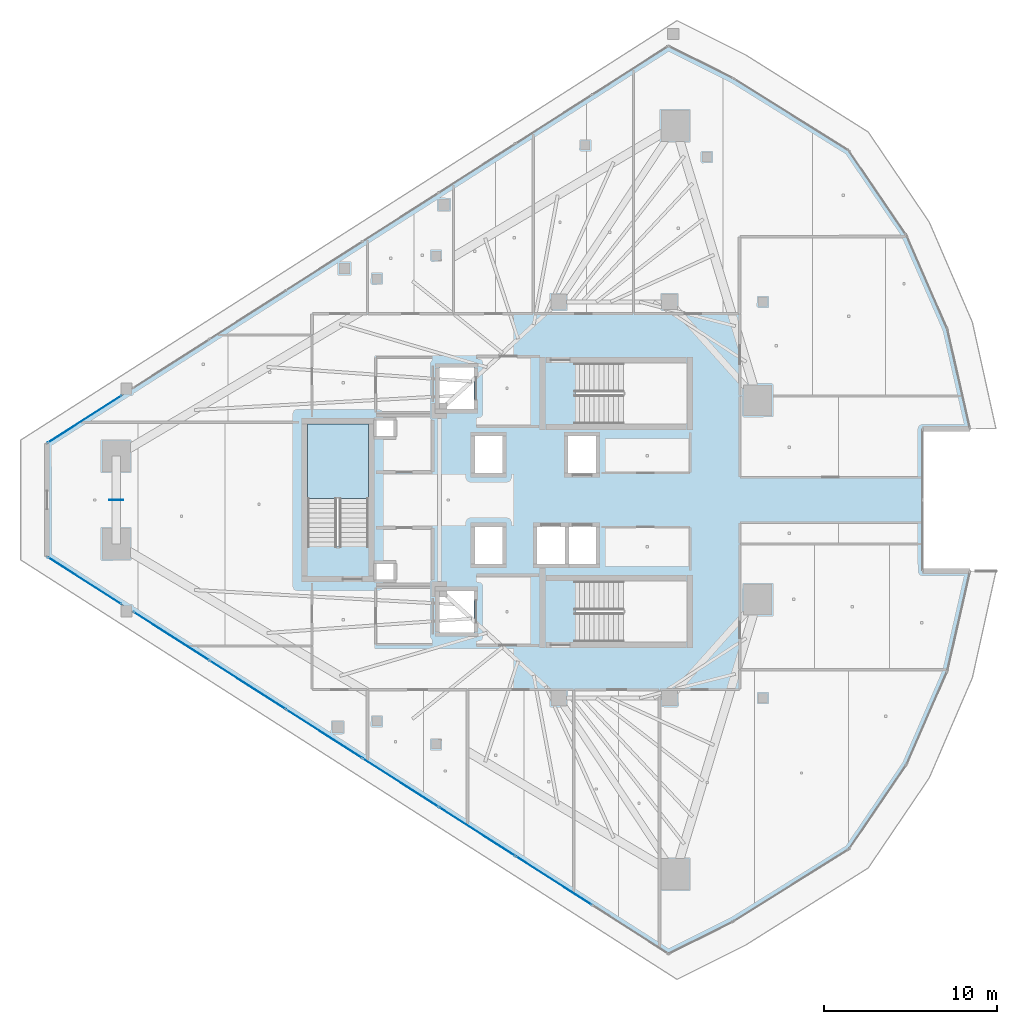
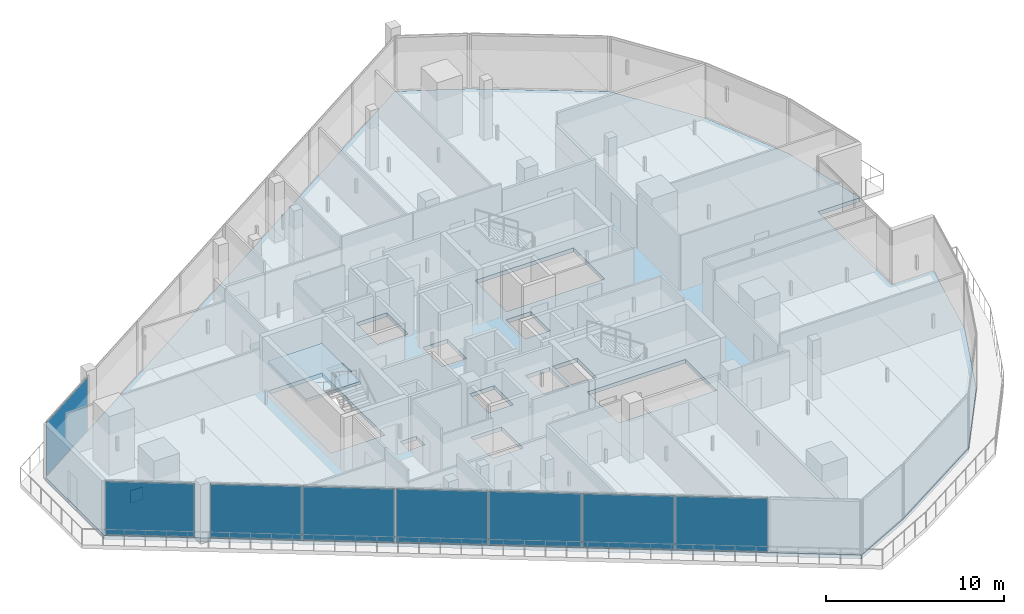
# One storey, part 21 of 33: 9 plates, 2 slabs, 4 elements without a shape of their own.
"""IFC4 building model written with IfcOpenShell, lengths in metres."""

from ifc_helpers import new_model, si_unit, direction, frame, origin, origin_2d, place, context, subcontext, project, spatial, polyline, rectangle, outline, extrude, material, layer, layer_set, type_object, element, aggregate, save


model = new_model("IFC4")

# Units and contexts
model_context = context("Model", 3, precision=1e-05, world=origin(), true_north=direction((0.0, 1.0)))
body_context = subcontext(model_context, "Body", "Model", "MODEL_VIEW")
ifc_project = project(units=[si_unit("LENGTHUNIT", "METRE"), si_unit("AREAUNIT", "SQUARE_METRE"), si_unit("VOLUMEUNIT", "CUBIC_METRE"), si_unit("PLANEANGLEUNIT", "RADIAN"), si_unit("MASSUNIT", "GRAM", prefix="KILO")], contexts=[model_context])

# Site, building, storey
site_placement = place(None, origin())
site = spatial("IfcSite", under=ifc_project, at=site_placement, CompositionType="ELEMENT")
building_placement = place(site_placement, origin())
building = spatial("IfcBuilding", under=site, at=building_placement, Name="Qorvath Tower", CompositionType="ELEMENT")
storey_placement = place(building_placement, frame((0.0, 0.0, 237.449951171875)))
storey = spatial("IfcBuildingStorey", under=building, at=storey_placement, Name="L55", CompositionType="ELEMENT", Elevation=237.449951171875)

# Curtain wall, plate
ifc_material_1 = material(Name="Anodised aluminium and triple low-E glass", Category="aluminium")
ifc_layer_1 = layer(ifc_material_1, 0.179931640625)
ifc_layer_set_1 = layer_set([ifc_layer_1], Name="CW-SYS-3")
curtain_wall_type = type_object("IfcCurtainWallType", Name="CW-SYS-3", PredefinedType="NOTDEFINED", material=ifc_layer_set_1)
curtain_wall_1_placement = place(storey_placement, origin())
curtain_wall_1 = element("IfcCurtainWall", 1, at=curtain_wall_1_placement, inside=storey, type_object=curtain_wall_type, Name="Curtain Wall CW-3 CW-T-L55-2.1", PredefinedType="NOTDEFINED")
ifc_material_2 = material(Name="Low-E triple insulated glass", Category="glass")
ifc_layer_2 = layer(ifc_material_2, 0.031982421875)
ifc_layer_set_2 = layer_set([ifc_layer_2], Name="CWP-GLZ-32")
plate_type_1 = type_object("IfcPlateType", Name="CWP-GLZ-32", PredefinedType="CURTAIN_PANEL", material=ifc_layer_set_2)
plate_1_placement = place(storey_placement, frame((-50.994384765625, -4.666748046875, 0.065185546875), z_axis=(0.0, 0.0, 1.0), x_axis=(0.842601381074, -0.53853775412, 0.0)))
plate_1 = element("IfcPlate", 2, at=plate_1_placement, type_object=plate_type_1, Name="CW-3 panel 1.1", PredefinedType="CURTAIN_PANEL", context=body_context, shape_type="SweptSolid", body=[
    extrude(rectangle(XDim=5.0244140625, YDim=0.031982421875, at=origin_2d()), origin(), (0.0, 0.0, 1.0), 3.64990234375),
])
aggregate(curtain_wall_1, [plate_1])

# Curtain wall, plates
curtain_wall_2_placement = place(storey_placement, origin())
curtain_wall_2 = element("IfcCurtainWall", 3, at=curtain_wall_2_placement, inside=storey, type_object=curtain_wall_type, Name="Curtain Wall CW-3 CW-T-L55-2.2", PredefinedType="NOTDEFINED")
plate_2_placement = place(storey_placement, frame((-45.98388671875, -7.869140625, 0.065185546875), z_axis=(0.0, 0.0, 1.0), x_axis=(0.842607285561, -0.53852851579, 0.0)))
plate_2 = element("IfcPlate", 4, at=plate_2_placement, type_object=plate_type_1, Name="CW-3 panel 1.1", PredefinedType="CURTAIN_PANEL", context=body_context, shape_type="SweptSolid", body=[
    extrude(rectangle(XDim=5.150146484375, YDim=0.031982421875, at=origin_2d()), origin(), (0.0, 0.0, 1.0), 3.64990234375),
])
plate_3_placement = place(storey_placement, frame((-41.575927734375, -10.686279296875, 0.065185546875), z_axis=(0.0, 0.0, 1.0), x_axis=(0.842607285561, -0.53852851579, 0.0)))
plate_3 = element("IfcPlate", 5, at=plate_3_placement, type_object=plate_type_1, Name="CW-3 panel 2.1", PredefinedType="CURTAIN_PANEL", context=body_context, shape_type="SweptSolid", body=[
    extrude(rectangle(XDim=5.1826171875, YDim=0.031982421875, at=origin_2d()), origin(), (0.0, 0.0, 1.0), 3.64990234375),
])
plate_4_placement = place(storey_placement, frame((-37.154296875, -13.51220703125, 0.065185546875), z_axis=(0.0, 0.0, 1.0), x_axis=(0.842607285561, -0.53852851579, 0.0)))
plate_4 = element("IfcPlate", 6, at=plate_4_placement, type_object=plate_type_1, Name="CW-3 panel 3.1", PredefinedType="CURTAIN_PANEL", context=body_context, shape_type="SweptSolid", body=[
    extrude(rectangle(XDim=5.1826171875, YDim=0.031982421875, at=origin_2d()), origin(), (0.0, 0.0, 1.0), 3.64990234375),
])
plate_5_placement = place(storey_placement, frame((-32.732666015625, -16.338134765625, 0.065185546875), z_axis=(0.0, 0.0, 1.0), x_axis=(0.842607285561, -0.53852851579, 0.0)))
plate_5 = element("IfcPlate", 7, at=plate_5_placement, type_object=plate_type_1, Name="CW-3 panel 4.1", PredefinedType="CURTAIN_PANEL", context=body_context, shape_type="SweptSolid", body=[
    extrude(rectangle(XDim=5.1826171875, YDim=0.031982421875, at=origin_2d()), origin(), (0.0, 0.0, 1.0), 3.64990234375),
])
plate_6_placement = place(storey_placement, frame((-28.31103515625, -19.164306640625, 0.065185546875), z_axis=(0.0, 0.0, 1.0), x_axis=(0.842607285561, -0.53852851579, 0.0)))
plate_6 = element("IfcPlate", 8, at=plate_6_placement, type_object=plate_type_1, Name="CW-3 panel 5.1", PredefinedType="CURTAIN_PANEL", context=body_context, shape_type="SweptSolid", body=[
    extrude(rectangle(XDim=5.1826171875, YDim=0.031982421875, at=origin_2d()), origin(), (0.0, 0.0, 1.0), 3.64990234375),
])
plate_7_placement = place(storey_placement, frame((-23.889404296875, -21.990234375, 0.065185546875), z_axis=(0.0, 0.0, 1.0), x_axis=(0.842607285561, -0.53852851579, 0.0)))
plate_7 = element("IfcPlate", 9, at=plate_7_placement, type_object=plate_type_1, Name="CW-3 panel 6.1", PredefinedType="CURTAIN_PANEL", context=body_context, shape_type="SweptSolid", body=[
    extrude(rectangle(XDim=5.1826171875, YDim=0.031982421875, at=origin_2d()), origin(), (0.0, 0.0, 1.0), 3.64990234375),
])
aggregate(curtain_wall_2, [plate_2, plate_3, plate_4, plate_5, plate_6, plate_7])

# Curtain wall, plate
curtain_wall_3_placement = place(storey_placement, origin())
curtain_wall_3 = element("IfcCurtainWall", 10, at=curtain_wall_3_placement, inside=storey, type_object=curtain_wall_type, Name="Curtain Wall CW-3 CW-T-L55-16.2", PredefinedType="NOTDEFINED")
plate_8_placement = place(storey_placement, frame((-50.994384765625, 4.666748046875, 0.065185546875), z_axis=(0.0, 0.0, 1.0), x_axis=(-0.842601381074, -0.53853775412, 0.0)))
plate_8 = element("IfcPlate", 11, at=plate_8_placement, type_object=plate_type_1, Name="CW-3 panel 1.1", PredefinedType="CURTAIN_PANEL", context=body_context, shape_type="SweptSolid", body=[
    extrude(rectangle(XDim=5.0244140625, YDim=0.031982421875, at=origin_2d()), origin(), (0.0, 0.0, 1.0), 3.64990234375),
])
aggregate(curtain_wall_3, [plate_8])

# Plate
ifc_material_3 = material(Name="Steel ASTM A572 Grade 50", Category="steel")
ifc_layer_3 = layer(ifc_material_3, 0.054931640625)
ifc_layer_set_3 = layer_set([ifc_layer_3], Name="PL-MBN1")
plate_type_2 = type_object("IfcPlateType", Name="PL-MBN1", PredefinedType="USERDEFINED", material=ifc_layer_set_3)
plate_9_placement = place(storey_placement, frame((-49.171875, 0.0, -1.045166015625), z_axis=(0.0, 0.0, 1.0), x_axis=(1.0, 0.0, 0.0)))
element("IfcPlate", 12, at=plate_9_placement, inside=storey, type_object=plate_type_2, Name="Brace Strut End Gusset Plate NDBG-150", ObjectType="GUSSET", PredefinedType="USERDEFINED", context=body_context, shape_type="SweptSolid", body=[
    extrude(rectangle(XDim=0.800048828125, YDim=0.054931640625, at=origin_2d()), origin(), (0.0, 0.0, 1.0), 0.85009765625),
])

# Stair, slab
ifc_material_4 = material(Name="Concrete C50/60", Category="concrete")
stair_type = type_object("IfcStairType", Name="ST-H405", PredefinedType="HALF_TURN_STAIR", material=ifc_material_4)
stair_placement = place(storey_placement, origin())
stair = element("IfcStair", 13, at=stair_placement, inside=storey, type_object=stair_type, Name="L55 Tower Exit Stair 3", PredefinedType="HALF_TURN_STAIR")
ifc_material_5 = material(Name="Concrete C50/60", Category="concrete")
ifc_layer_4 = layer(ifc_material_5, 0.199951171875)
ifc_layer_set_4 = layer_set([ifc_layer_4], Name="SL-LND-200")
slab_type_1 = type_object("IfcSlabType", Name="SL-LND-200", PredefinedType="LANDING", material=ifc_layer_set_4)
slab_1_placement = place(storey_placement, frame((0.0, 0.0, 1.824951171875)))
slab_1 = element("IfcSlab", 14, at=slab_1_placement, type_object=slab_type_1, Name="TS3 landing 1", PredefinedType="LANDING", context=body_context, shape_type="SweptSolid", body=[
    extrude(outline(polyline([(-34.60009765625, 0.080078125), (-34.60009765625, 4.39990234375), (-38.110107421875, 4.39990234375), (-38.110107421875, 0.080078125), (-34.60009765625, 0.080078125)])), origin(), (0.0, 0.0, 1.0), 0.2001953125),
])
aggregate(stair, [slab_1])

# Slab
ifc_material_6 = material(Name="Concrete C45/55", Category="concrete")
ifc_layer_5 = layer(ifc_material_6, 0.27001953125)
ifc_layer_set_5 = layer_set([ifc_layer_5], Name="SL-MID-270")
slab_type_2 = type_object("IfcSlabType", Name="SL-MID-270", PredefinedType="FLOOR", material=ifc_layer_set_5)
slab_2_placement = place(storey_placement, frame((0.0, 0.0, -0.27001953125)))
element("IfcSlab", 15, at=slab_2_placement, inside=storey, type_object=slab_type_2, Name="Tower L55 Interior Floor Slab", PredefinedType="FLOOR", context=body_context, shape_type="SweptSolid", body=[
    extrude(outline(polyline([(-53.166015625, 3.27880859375), (-53.166015625, -3.27880859375), (-17.2568359375, -26.229248046875), (-13.509765625, -24.355712890625), (-6.83154296875, -20.17626953125), (-3.5048828125, -15.292724609375), (-1.144287109375, -9.8759765625), (0.167724609375, -4.11474609375), (-2.575439453125, -4.11474609375), (-2.575439453125, 4.11474609375), (0.167724609375, 4.11474609375), (-1.144287109375, 9.8759765625), (-3.5048828125, 15.292724609375), (-6.83154296875, 20.17626953125), (-13.509765625, 24.355712890625), (-17.2568359375, 26.229248046875), (-53.166015625, 3.27880859375)]), holes=[polyline([(-16.2451171875, -8.199951171875), (-22.625, -8.199951171875), (-22.625, -4.68994140625), (-16.2451171875, -4.68994140625), (-16.2451171875, -8.199951171875)]), polyline([(-22.625, 4.39990234375), (-22.625, 7.909912109375), (-16.2451171875, 7.909912109375), (-16.2451171875, 4.39990234375), (-22.625, 4.39990234375)]), polyline([(-21.449951171875, -3.699951171875), (-23.050048828125, -3.699951171875), (-23.050048828125, -1.550048828125), (-21.449951171875, -1.550048828125), (-21.449951171875, -3.699951171875)]), polyline([(-23.050048828125, 1.550048828125), (-23.050048828125, 3.699951171875), (-21.449951171875, 3.699951171875), (-21.449951171875, 1.550048828125), (-23.050048828125, 1.550048828125)]), polyline([(-24.85009765625, -3.699951171875), (-24.85009765625, -1.550048828125), (-23.25, -1.550048828125), (-23.25, -3.699951171875), (-24.85009765625, -3.699951171875)]), polyline([(-28.449951171875, -3.699951171875), (-28.449951171875, -1.550048828125), (-26.85009765625, -1.550048828125), (-26.85009765625, -3.699951171875), (-28.449951171875, -3.699951171875)]), polyline([(-26.85009765625, 1.550048828125), (-28.449951171875, 1.550048828125), (-28.449951171875, 3.699951171875), (-26.85009765625, 3.699951171875), (-26.85009765625, 1.550048828125)]), polyline([(-28.5, -7.64990234375), (-30.5, -7.64990234375), (-30.5, -5.25), (-28.5, -5.25), (-28.5, -7.64990234375)]), polyline([(-30.5, 5.25), (-30.5, 7.64990234375), (-28.5, 7.64990234375), (-28.5, 5.25), (-30.5, 5.25)]), polyline([(-34.14990234375, -4.6201171875), (-34.14990234375, -3.64990234375), (-33.10009765625, -3.64990234375), (-33.10009765625, -4.6201171875), (-34.14990234375, -4.6201171875)]), polyline([(-34.14990234375, 3.64990234375), (-34.14990234375, 4.6201171875), (-33.10009765625, 4.6201171875), (-33.10009765625, 3.64990234375), (-34.14990234375, 3.64990234375)]), polyline([(-34.60009765625, -2.675048828125), (-38.110107421875, -2.675048828125), (-38.110107421875, 4.35498046875), (-34.60009765625, 4.35498046875), (-34.60009765625, -2.675048828125)])]), origin(), (0.0, 0.0, 1.0), 0.27001953125),
])

save(model, "model.ifc")
